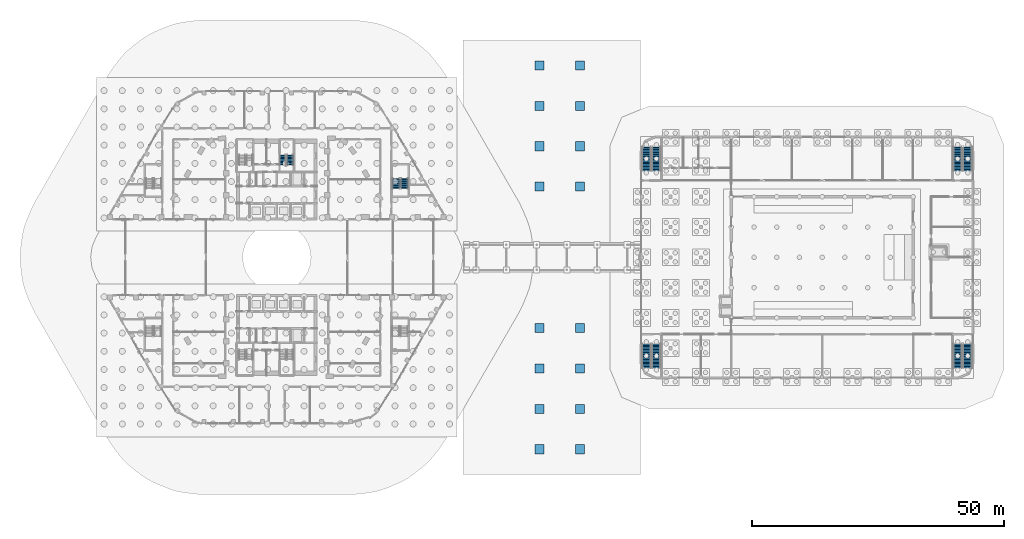
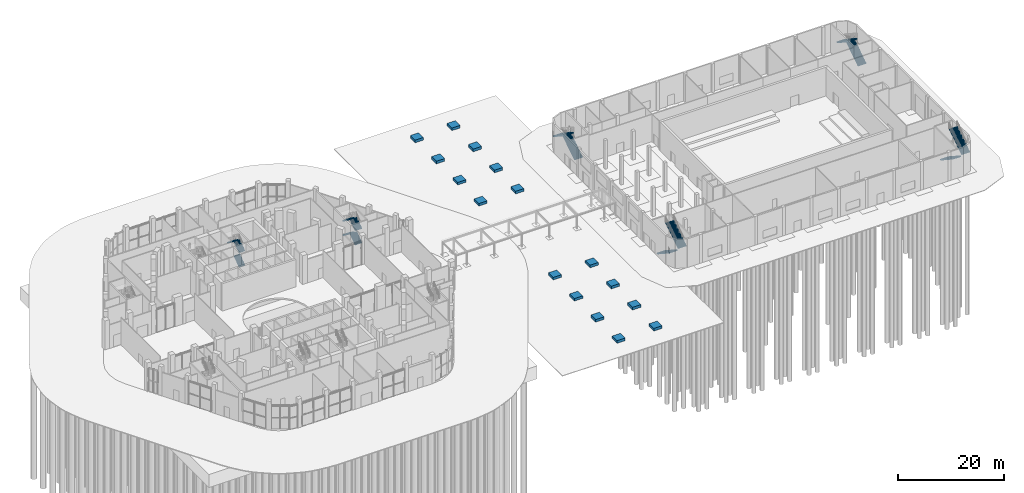
# One storey, part 37 of 44: 16 discrete accessories, 15 stair flights, 6 elements without a shape of their own.
"""IFC4 building model written with IfcOpenShell, lengths in metres."""

from ifc_helpers import new_model, si_unit, direction, frame, origin, origin_2d, place, context, subcontext, project, spatial, polyline, rectangle, outline, extrude, material, type_object, element, aggregate, save


model = new_model("IFC4")

# Units and contexts
model_context = context("Model", 3, precision=1e-05, world=origin(), true_north=direction((0.0, 1.0)))
body_context = subcontext(model_context, "Body", "Model", "MODEL_VIEW")
ifc_project = project(units=[si_unit("LENGTHUNIT", "METRE"), si_unit("AREAUNIT", "SQUARE_METRE"), si_unit("VOLUMEUNIT", "CUBIC_METRE"), si_unit("PLANEANGLEUNIT", "RADIAN"), si_unit("MASSUNIT", "GRAM", prefix="KILO")], contexts=[model_context])

# Site, building, storey
site_placement = place(None, origin())
site = spatial("IfcSite", under=ifc_project, at=site_placement, CompositionType="ELEMENT")
building_placement = place(site_placement, origin())
building = spatial("IfcBuilding", under=site, at=building_placement, Name="Nakaniwa Court", CompositionType="ELEMENT")
storey_placement = place(building_placement, origin())
storey = spatial("IfcBuildingStorey", under=building, at=storey_placement, Name="L00", CompositionType="ELEMENT", Elevation=0.0)

# Stair, stair flights
ifc_material_1 = material(Name="Concrete C40/50", Category="concrete")
stair_type_1 = type_object("IfcStairType", Name="Hall exit stair 36 risers", PredefinedType="HALF_TURN_STAIR", material=ifc_material_1)
stair_1_placement = place(storey_placement, origin())
stair_1 = element("IfcStair", 1, at=stair_1_placement, inside=storey, type_object=stair_type_1, Name="L00 Exit stair 1", PredefinedType="HALF_TURN_STAIR")
stair_flight_type_1 = type_object("IfcStairFlightType", Name="Hall stair flight 18 risers", PredefinedType="STRAIGHT", material=ifc_material_1)
stair_flight_1_placement = place(storey_placement, frame((153.199951171875, 62.860107421875, 0.0), z_axis=(0.0, 0.0, 1.0), x_axis=(0.0, -1.0, 0.0)))
stair_flight_1 = element("IfcStairFlight", 2, at=stair_flight_1_placement, type_object=stair_flight_type_1, Name="ST-H1 flight 1", NumberOfRisers=18, NumberOfTreads=17, PredefinedType="STRAIGHT", RiserHeight=0.183333333, TreadLength=0.28, context=body_context, shape_type="SweptSolid", body=[
    extrude(outline(polyline([(0.0, 0.0), (0.0, 0.026123046875), (0.0, 0.052490234375), (0.0, 0.07861328125), (0.0, 0.104736328125), (0.0, 0.130859375), (0.0, 0.1572265625), (0.0, 0.183349609375), (0.280029296875, 0.183349609375), (0.280029296875, 0.36669921875), (0.56005859375, 0.36669921875), (0.56005859375, 0.550048828125), (0.840087890625, 0.550048828125), (0.840087890625, 0.7333984375), (1.1201171875, 0.7333984375), (1.1201171875, 0.916748046875), (1.39990234375, 0.916748046875), (1.39990234375, 1.10009765625), (1.679931640625, 1.10009765625), (1.679931640625, 1.283447265625), (1.9599609375, 1.283447265625), (1.9599609375, 1.466552734375), (2.239990234375, 1.466552734375), (2.239990234375, 1.64990234375), (2.52001953125, 1.64990234375), (2.52001953125, 1.833251953125), (2.800048828125, 1.833251953125), (2.800048828125, 2.0166015625), (3.080078125, 2.0166015625), (3.080078125, 2.199951171875), (3.360107421875, 2.199951171875), (3.360107421875, 2.38330078125), (3.639892578125, 2.38330078125), (3.639892578125, 2.566650390625), (3.919921875, 2.566650390625), (3.919921875, 2.75), (4.199951171875, 2.75), (4.199951171875, 2.933349609375), (4.47998046875, 2.933349609375), (4.47998046875, 3.11669921875), (4.760009765625, 3.11669921875), (4.760009765625, 3.300048828125), (4.760009765625, 3.248291015625), (4.760009765625, 3.196533203125), (4.760009765625, 3.14453125), (4.760009765625, 3.0927734375), (4.760009765625, 3.041015625), (4.760009765625, 2.9892578125), (4.760009765625, 2.9375), (0.273681640625, 0.0), (0.0, 0.0)])), frame((0.0, 0.89990234375, 0.0), z_axis=(0.0, -1.0, 0.0), x_axis=(1.0, 0.0, 0.0)), (0.0, 0.0, 1.0), 1.800048828125),
])
stair_flight_2_placement = place(storey_placement, frame((155.14990234375, 58.10009765625, 3.300048828125), z_axis=(0.0, 0.0, 1.0), x_axis=(0.0, 1.0, 0.0)))
stair_flight_2 = element("IfcStairFlight", 3, at=stair_flight_2_placement, type_object=stair_flight_type_1, Name="ST-H1 flight 2", NumberOfRisers=18, NumberOfTreads=17, PredefinedType="STRAIGHT", RiserHeight=0.183333333, TreadLength=0.28, context=body_context, shape_type="SweptSolid", body=[
    extrude(outline(polyline([(0.0, 0.0), (0.0, 0.026123046875), (0.0, 0.052490234375), (0.0, 0.07861328125), (0.0, 0.104736328125), (0.0, 0.130859375), (0.0, 0.1572265625), (0.0, 0.183349609375), (0.280029296875, 0.183349609375), (0.280029296875, 0.36669921875), (0.56005859375, 0.36669921875), (0.56005859375, 0.550048828125), (0.840087890625, 0.550048828125), (0.840087890625, 0.7333984375), (1.1201171875, 0.7333984375), (1.1201171875, 0.916748046875), (1.39990234375, 0.916748046875), (1.39990234375, 1.10009765625), (1.679931640625, 1.10009765625), (1.679931640625, 1.283447265625), (1.9599609375, 1.283447265625), (1.9599609375, 1.466552734375), (2.239990234375, 1.466552734375), (2.239990234375, 1.64990234375), (2.52001953125, 1.64990234375), (2.52001953125, 1.833251953125), (2.800048828125, 1.833251953125), (2.800048828125, 2.0166015625), (3.080078125, 2.0166015625), (3.080078125, 2.199951171875), (3.360107421875, 2.199951171875), (3.360107421875, 2.38330078125), (3.639892578125, 2.38330078125), (3.639892578125, 2.566650390625), (3.919921875, 2.566650390625), (3.919921875, 2.75), (4.199951171875, 2.75), (4.199951171875, 2.933349609375), (4.47998046875, 2.933349609375), (4.47998046875, 3.11669921875), (4.760009765625, 3.11669921875), (4.760009765625, 3.300048828125), (4.760009765625, 3.248291015625), (4.760009765625, 3.196533203125), (4.760009765625, 3.14453125), (4.760009765625, 3.0927734375), (4.760009765625, 3.041015625), (4.760009765625, 2.9892578125), (4.760009765625, 2.9375), (0.273681640625, 0.0), (0.0, 0.0)])), frame((0.0, 0.89990234375, 0.0), z_axis=(0.0, -1.0, 0.0), x_axis=(1.0, 0.0, 0.0)), (0.0, 0.0, 1.0), 1.800048828125),
])
aggregate(stair_1, [stair_flight_1, stair_flight_2])

stair_2_placement = place(storey_placement, origin())
stair_2 = element("IfcStair", 4, at=stair_2_placement, inside=storey, type_object=stair_type_1, Name="L00 Exit stair 2", PredefinedType="HALF_TURN_STAIR")
stair_flight_3_placement = place(storey_placement, frame((155.14990234375, 97.139892578125, 0.0), z_axis=(0.0, 0.0, 1.0), x_axis=(0.0, 1.0, 0.0)))
stair_flight_3 = element("IfcStairFlight", 5, at=stair_flight_3_placement, type_object=stair_flight_type_1, Name="ST-H2 flight 1", NumberOfRisers=18, NumberOfTreads=17, PredefinedType="STRAIGHT", RiserHeight=0.183333333, TreadLength=0.28, context=body_context, shape_type="SweptSolid", body=[
    extrude(outline(polyline([(0.0, 0.0), (0.0, 0.026123046875), (0.0, 0.052490234375), (0.0, 0.07861328125), (0.0, 0.104736328125), (0.0, 0.130859375), (0.0, 0.1572265625), (0.0, 0.183349609375), (0.280029296875, 0.183349609375), (0.280029296875, 0.36669921875), (0.56005859375, 0.36669921875), (0.56005859375, 0.550048828125), (0.840087890625, 0.550048828125), (0.840087890625, 0.7333984375), (1.1201171875, 0.7333984375), (1.1201171875, 0.916748046875), (1.39990234375, 0.916748046875), (1.39990234375, 1.10009765625), (1.679931640625, 1.10009765625), (1.679931640625, 1.283447265625), (1.9599609375, 1.283447265625), (1.9599609375, 1.466552734375), (2.239990234375, 1.466552734375), (2.239990234375, 1.64990234375), (2.52001953125, 1.64990234375), (2.52001953125, 1.833251953125), (2.800048828125, 1.833251953125), (2.800048828125, 2.0166015625), (3.080078125, 2.0166015625), (3.080078125, 2.199951171875), (3.360107421875, 2.199951171875), (3.360107421875, 2.38330078125), (3.639892578125, 2.38330078125), (3.639892578125, 2.566650390625), (3.919921875, 2.566650390625), (3.919921875, 2.75), (4.199951171875, 2.75), (4.199951171875, 2.933349609375), (4.47998046875, 2.933349609375), (4.47998046875, 3.11669921875), (4.760009765625, 3.11669921875), (4.760009765625, 3.300048828125), (4.760009765625, 3.248291015625), (4.760009765625, 3.196533203125), (4.760009765625, 3.14453125), (4.760009765625, 3.0927734375), (4.760009765625, 3.041015625), (4.760009765625, 2.9892578125), (4.760009765625, 2.9375), (0.273681640625, 0.0), (0.0, 0.0)])), frame((0.0, 0.89990234375, 0.0), z_axis=(0.0, -1.0, 0.0), x_axis=(1.0, 0.0, 0.0)), (0.0, 0.0, 1.0), 1.800048828125),
])
stair_flight_4_placement = place(storey_placement, frame((153.199951171875, 101.89990234375, 3.300048828125), z_axis=(0.0, 0.0, 1.0), x_axis=(0.0, -1.0, 0.0)))
stair_flight_4 = element("IfcStairFlight", 6, at=stair_flight_4_placement, type_object=stair_flight_type_1, Name="ST-H2 flight 2", NumberOfRisers=18, NumberOfTreads=17, PredefinedType="STRAIGHT", RiserHeight=0.183333333, TreadLength=0.28, context=body_context, shape_type="SweptSolid", body=[
    extrude(outline(polyline([(0.0, 0.0), (0.0, 0.026123046875), (0.0, 0.052490234375), (0.0, 0.07861328125), (0.0, 0.104736328125), (0.0, 0.130859375), (0.0, 0.1572265625), (0.0, 0.183349609375), (0.280029296875, 0.183349609375), (0.280029296875, 0.36669921875), (0.56005859375, 0.36669921875), (0.56005859375, 0.550048828125), (0.840087890625, 0.550048828125), (0.840087890625, 0.7333984375), (1.1201171875, 0.7333984375), (1.1201171875, 0.916748046875), (1.39990234375, 0.916748046875), (1.39990234375, 1.10009765625), (1.679931640625, 1.10009765625), (1.679931640625, 1.283447265625), (1.9599609375, 1.283447265625), (1.9599609375, 1.466552734375), (2.239990234375, 1.466552734375), (2.239990234375, 1.64990234375), (2.52001953125, 1.64990234375), (2.52001953125, 1.833251953125), (2.800048828125, 1.833251953125), (2.800048828125, 2.0166015625), (3.080078125, 2.0166015625), (3.080078125, 2.199951171875), (3.360107421875, 2.199951171875), (3.360107421875, 2.38330078125), (3.639892578125, 2.38330078125), (3.639892578125, 2.566650390625), (3.919921875, 2.566650390625), (3.919921875, 2.75), (4.199951171875, 2.75), (4.199951171875, 2.933349609375), (4.47998046875, 2.933349609375), (4.47998046875, 3.11669921875), (4.760009765625, 3.11669921875), (4.760009765625, 3.300048828125), (4.760009765625, 3.248291015625), (4.760009765625, 3.196533203125), (4.760009765625, 3.14453125), (4.760009765625, 3.0927734375), (4.760009765625, 3.041015625), (4.760009765625, 2.9892578125), (4.760009765625, 2.9375), (0.273681640625, 0.0), (0.0, 0.0)])), frame((0.0, 0.89990234375, 0.0), z_axis=(0.0, -1.0, 0.0), x_axis=(1.0, 0.0, 0.0)), (0.0, 0.0, 1.0), 1.800048828125),
])
aggregate(stair_2, [stair_flight_3, stair_flight_4])

stair_3_placement = place(storey_placement, origin())
stair_3 = element("IfcStair", 7, at=stair_3_placement, inside=storey, type_object=stair_type_1, Name="L00 Exit stair 3", PredefinedType="HALF_TURN_STAIR")
stair_flight_5_placement = place(storey_placement, frame((214.85009765625, 62.860107421875, 0.0), z_axis=(0.0, 0.0, 1.0), x_axis=(0.0, -1.0, 0.0)))
stair_flight_5 = element("IfcStairFlight", 8, at=stair_flight_5_placement, type_object=stair_flight_type_1, Name="ST-H3 flight 1", NumberOfRisers=18, NumberOfTreads=17, PredefinedType="STRAIGHT", RiserHeight=0.183333333, TreadLength=0.28, context=body_context, shape_type="SweptSolid", body=[
    extrude(outline(polyline([(0.0, 0.0), (0.0, 0.026123046875), (0.0, 0.052490234375), (0.0, 0.07861328125), (0.0, 0.104736328125), (0.0, 0.130859375), (0.0, 0.1572265625), (0.0, 0.183349609375), (0.280029296875, 0.183349609375), (0.280029296875, 0.36669921875), (0.56005859375, 0.36669921875), (0.56005859375, 0.550048828125), (0.840087890625, 0.550048828125), (0.840087890625, 0.7333984375), (1.1201171875, 0.7333984375), (1.1201171875, 0.916748046875), (1.39990234375, 0.916748046875), (1.39990234375, 1.10009765625), (1.679931640625, 1.10009765625), (1.679931640625, 1.283447265625), (1.9599609375, 1.283447265625), (1.9599609375, 1.466552734375), (2.239990234375, 1.466552734375), (2.239990234375, 1.64990234375), (2.52001953125, 1.64990234375), (2.52001953125, 1.833251953125), (2.800048828125, 1.833251953125), (2.800048828125, 2.0166015625), (3.080078125, 2.0166015625), (3.080078125, 2.199951171875), (3.360107421875, 2.199951171875), (3.360107421875, 2.38330078125), (3.639892578125, 2.38330078125), (3.639892578125, 2.566650390625), (3.919921875, 2.566650390625), (3.919921875, 2.75), (4.199951171875, 2.75), (4.199951171875, 2.933349609375), (4.47998046875, 2.933349609375), (4.47998046875, 3.11669921875), (4.760009765625, 3.11669921875), (4.760009765625, 3.300048828125), (4.760009765625, 3.248291015625), (4.760009765625, 3.196533203125), (4.760009765625, 3.14453125), (4.760009765625, 3.0927734375), (4.760009765625, 3.041015625), (4.760009765625, 2.9892578125), (4.760009765625, 2.9375), (0.273681640625, 0.0), (0.0, 0.0)])), frame((0.0, 0.89990234375, 0.0), z_axis=(0.0, -1.0, 0.0), x_axis=(1.0, 0.0, 0.0)), (0.0, 0.0, 1.0), 1.800048828125),
])
stair_flight_6_placement = place(storey_placement, frame((216.800048828125, 58.10009765625, 3.300048828125), z_axis=(0.0, 0.0, 1.0), x_axis=(0.0, 1.0, 0.0)))
stair_flight_6 = element("IfcStairFlight", 9, at=stair_flight_6_placement, type_object=stair_flight_type_1, Name="ST-H3 flight 2", NumberOfRisers=18, NumberOfTreads=17, PredefinedType="STRAIGHT", RiserHeight=0.183333333, TreadLength=0.28, context=body_context, shape_type="SweptSolid", body=[
    extrude(outline(polyline([(0.0, 0.0), (0.0, 0.026123046875), (0.0, 0.052490234375), (0.0, 0.07861328125), (0.0, 0.104736328125), (0.0, 0.130859375), (0.0, 0.1572265625), (0.0, 0.183349609375), (0.280029296875, 0.183349609375), (0.280029296875, 0.36669921875), (0.56005859375, 0.36669921875), (0.56005859375, 0.550048828125), (0.840087890625, 0.550048828125), (0.840087890625, 0.7333984375), (1.1201171875, 0.7333984375), (1.1201171875, 0.916748046875), (1.39990234375, 0.916748046875), (1.39990234375, 1.10009765625), (1.679931640625, 1.10009765625), (1.679931640625, 1.283447265625), (1.9599609375, 1.283447265625), (1.9599609375, 1.466552734375), (2.239990234375, 1.466552734375), (2.239990234375, 1.64990234375), (2.52001953125, 1.64990234375), (2.52001953125, 1.833251953125), (2.800048828125, 1.833251953125), (2.800048828125, 2.0166015625), (3.080078125, 2.0166015625), (3.080078125, 2.199951171875), (3.360107421875, 2.199951171875), (3.360107421875, 2.38330078125), (3.639892578125, 2.38330078125), (3.639892578125, 2.566650390625), (3.919921875, 2.566650390625), (3.919921875, 2.75), (4.199951171875, 2.75), (4.199951171875, 2.933349609375), (4.47998046875, 2.933349609375), (4.47998046875, 3.11669921875), (4.760009765625, 3.11669921875), (4.760009765625, 3.300048828125), (4.760009765625, 3.248291015625), (4.760009765625, 3.196533203125), (4.760009765625, 3.14453125), (4.760009765625, 3.0927734375), (4.760009765625, 3.041015625), (4.760009765625, 2.9892578125), (4.760009765625, 2.9375), (0.273681640625, 0.0), (0.0, 0.0)])), frame((0.0, 0.89990234375, 0.0), z_axis=(0.0, -1.0, 0.0), x_axis=(1.0, 0.0, 0.0)), (0.0, 0.0, 1.0), 1.800048828125),
])
aggregate(stair_3, [stair_flight_5, stair_flight_6])

stair_4_placement = place(storey_placement, origin())
stair_4 = element("IfcStair", 10, at=stair_4_placement, inside=storey, type_object=stair_type_1, Name="L00 Exit stair 4", PredefinedType="HALF_TURN_STAIR")
stair_flight_7_placement = place(storey_placement, frame((216.800048828125, 97.139892578125, 0.0), z_axis=(0.0, 0.0, 1.0), x_axis=(0.0, 1.0, 0.0)))
stair_flight_7 = element("IfcStairFlight", 11, at=stair_flight_7_placement, type_object=stair_flight_type_1, Name="ST-H4 flight 1", NumberOfRisers=18, NumberOfTreads=17, PredefinedType="STRAIGHT", RiserHeight=0.183333333, TreadLength=0.28, context=body_context, shape_type="SweptSolid", body=[
    extrude(outline(polyline([(0.0, 0.0), (0.0, 0.026123046875), (0.0, 0.052490234375), (0.0, 0.07861328125), (0.0, 0.104736328125), (0.0, 0.130859375), (0.0, 0.1572265625), (0.0, 0.183349609375), (0.280029296875, 0.183349609375), (0.280029296875, 0.36669921875), (0.56005859375, 0.36669921875), (0.56005859375, 0.550048828125), (0.840087890625, 0.550048828125), (0.840087890625, 0.7333984375), (1.1201171875, 0.7333984375), (1.1201171875, 0.916748046875), (1.39990234375, 0.916748046875), (1.39990234375, 1.10009765625), (1.679931640625, 1.10009765625), (1.679931640625, 1.283447265625), (1.9599609375, 1.283447265625), (1.9599609375, 1.466552734375), (2.239990234375, 1.466552734375), (2.239990234375, 1.64990234375), (2.52001953125, 1.64990234375), (2.52001953125, 1.833251953125), (2.800048828125, 1.833251953125), (2.800048828125, 2.0166015625), (3.080078125, 2.0166015625), (3.080078125, 2.199951171875), (3.360107421875, 2.199951171875), (3.360107421875, 2.38330078125), (3.639892578125, 2.38330078125), (3.639892578125, 2.566650390625), (3.919921875, 2.566650390625), (3.919921875, 2.75), (4.199951171875, 2.75), (4.199951171875, 2.933349609375), (4.47998046875, 2.933349609375), (4.47998046875, 3.11669921875), (4.760009765625, 3.11669921875), (4.760009765625, 3.300048828125), (4.760009765625, 3.248291015625), (4.760009765625, 3.196533203125), (4.760009765625, 3.14453125), (4.760009765625, 3.0927734375), (4.760009765625, 3.041015625), (4.760009765625, 2.9892578125), (4.760009765625, 2.9375), (0.273681640625, 0.0), (0.0, 0.0)])), frame((0.0, 0.89990234375, 0.0), z_axis=(0.0, -1.0, 0.0), x_axis=(1.0, 0.0, 0.0)), (0.0, 0.0, 1.0), 1.800048828125),
])
stair_flight_8_placement = place(storey_placement, frame((214.85009765625, 101.89990234375, 3.300048828125), z_axis=(0.0, 0.0, 1.0), x_axis=(0.0, -1.0, 0.0)))
stair_flight_8 = element("IfcStairFlight", 12, at=stair_flight_8_placement, type_object=stair_flight_type_1, Name="ST-H4 flight 2", NumberOfRisers=18, NumberOfTreads=17, PredefinedType="STRAIGHT", RiserHeight=0.183333333, TreadLength=0.28, context=body_context, shape_type="SweptSolid", body=[
    extrude(outline(polyline([(0.0, 0.0), (0.0, 0.026123046875), (0.0, 0.052490234375), (0.0, 0.07861328125), (0.0, 0.104736328125), (0.0, 0.130859375), (0.0, 0.1572265625), (0.0, 0.183349609375), (0.280029296875, 0.183349609375), (0.280029296875, 0.36669921875), (0.56005859375, 0.36669921875), (0.56005859375, 0.550048828125), (0.840087890625, 0.550048828125), (0.840087890625, 0.7333984375), (1.1201171875, 0.7333984375), (1.1201171875, 0.916748046875), (1.39990234375, 0.916748046875), (1.39990234375, 1.10009765625), (1.679931640625, 1.10009765625), (1.679931640625, 1.283447265625), (1.9599609375, 1.283447265625), (1.9599609375, 1.466552734375), (2.239990234375, 1.466552734375), (2.239990234375, 1.64990234375), (2.52001953125, 1.64990234375), (2.52001953125, 1.833251953125), (2.800048828125, 1.833251953125), (2.800048828125, 2.0166015625), (3.080078125, 2.0166015625), (3.080078125, 2.199951171875), (3.360107421875, 2.199951171875), (3.360107421875, 2.38330078125), (3.639892578125, 2.38330078125), (3.639892578125, 2.566650390625), (3.919921875, 2.566650390625), (3.919921875, 2.75), (4.199951171875, 2.75), (4.199951171875, 2.933349609375), (4.47998046875, 2.933349609375), (4.47998046875, 3.11669921875), (4.760009765625, 3.11669921875), (4.760009765625, 3.300048828125), (4.760009765625, 3.248291015625), (4.760009765625, 3.196533203125), (4.760009765625, 3.14453125), (4.760009765625, 3.0927734375), (4.760009765625, 3.041015625), (4.760009765625, 2.9892578125), (4.760009765625, 2.9375), (0.273681640625, 0.0), (0.0, 0.0)])), frame((0.0, 0.89990234375, 0.0), z_axis=(0.0, -1.0, 0.0), x_axis=(1.0, 0.0, 0.0)), (0.0, 0.0, 1.0), 1.800048828125),
])
aggregate(stair_4, [stair_flight_7, stair_flight_8])

ifc_material_2 = material(Name="Concrete C80/100", Category="concrete")
stair_type_2 = type_object("IfcStairType", Name="Dog leg stair 1300 wide 36 risers", PredefinedType="HALF_TURN_STAIR", material=ifc_material_2)
stair_5_placement = place(storey_placement, origin())
stair_5 = element("IfcStair", 13, at=stair_5_placement, inside=storey, type_object=stair_type_2, Name="L00 Stair ST2", PredefinedType="HALF_TURN_STAIR")
stair_flight_type_2 = type_object("IfcStairFlightType", Name="Stair flight 1300 wide 9 risers", PredefinedType="STRAIGHT", material=ifc_material_2)
stair_flight_9_placement = place(storey_placement, frame((82.625, 98.27490234375, 0.0), z_axis=(0.0, 0.0, 1.0), x_axis=(0.0, 1.0, 0.0)))
stair_flight_9 = element("IfcStairFlight", 14, at=stair_flight_9_placement, type_object=stair_flight_type_2, Name="ST2 flight 1", NumberOfRisers=9, NumberOfTreads=8, PredefinedType="STRAIGHT", RiserHeight=0.183333333, TreadLength=0.25, context=body_context, shape_type="SweptSolid", body=[
    extrude(outline(polyline([(0.0, 0.0), (0.0, 0.026123046875), (0.0, 0.052490234375), (0.0, 0.07861328125), (0.0, 0.104736328125), (0.0, 0.130859375), (0.0, 0.1572265625), (0.0, 0.183349609375), (0.25, 0.183349609375), (0.25, 0.36669921875), (0.5, 0.36669921875), (0.5, 0.550048828125), (0.75, 0.550048828125), (0.75, 0.7333984375), (1.0, 0.7333984375), (1.0, 0.916748046875), (1.25, 0.916748046875), (1.25, 1.10009765625), (1.5, 1.10009765625), (1.5, 1.283447265625), (1.75, 1.283447265625), (1.75, 1.466552734375), (2.0, 1.466552734375), (2.0, 1.64990234375), (2.0, 1.59716796875), (2.0, 1.54443359375), (2.0, 1.49169921875), (2.0, 1.43896484375), (2.0, 1.38623046875), (2.0, 1.33349609375), (2.0, 1.28076171875), (0.25341796875, 0.0), (0.0, 0.0)])), frame((0.0, 0.64990234375, 0.0), z_axis=(0.0, -1.0, 0.0), x_axis=(1.0, 0.0, 0.0)), (0.0, 0.0, 1.0), 1.300048828125),
])
stair_flight_10_placement = place(storey_placement, frame((82.625, 98.27490234375, 3.300048828125), z_axis=(0.0, 0.0, 1.0), x_axis=(0.0, 1.0, 0.0)))
stair_flight_10 = element("IfcStairFlight", 15, at=stair_flight_10_placement, type_object=stair_flight_type_2, Name="ST2 flight 3", NumberOfRisers=9, NumberOfTreads=8, PredefinedType="STRAIGHT", RiserHeight=0.183333333, TreadLength=0.25, context=body_context, shape_type="SweptSolid", body=[
    extrude(outline(polyline([(0.0, 0.0), (0.0, 0.026123046875), (0.0, 0.052490234375), (0.0, 0.07861328125), (0.0, 0.104736328125), (0.0, 0.130859375), (0.0, 0.1572265625), (0.0, 0.183349609375), (0.25, 0.183349609375), (0.25, 0.36669921875), (0.5, 0.36669921875), (0.5, 0.550048828125), (0.75, 0.550048828125), (0.75, 0.7333984375), (1.0, 0.7333984375), (1.0, 0.916748046875), (1.25, 0.916748046875), (1.25, 1.10009765625), (1.5, 1.10009765625), (1.5, 1.283447265625), (1.75, 1.283447265625), (1.75, 1.466552734375), (2.0, 1.466552734375), (2.0, 1.64990234375), (2.0, 1.59716796875), (2.0, 1.54443359375), (2.0, 1.49169921875), (2.0, 1.43896484375), (2.0, 1.38623046875), (2.0, 1.33349609375), (2.0, 1.28076171875), (0.25341796875, 0.0), (0.0, 0.0)])), frame((0.0, 0.64990234375, 0.0), z_axis=(0.0, -1.0, 0.0), x_axis=(1.0, 0.0, 0.0)), (0.0, 0.0, 1.0), 1.300048828125),
])
stair_flight_11_placement = place(storey_placement, frame((81.175048828125, 100.27490234375, 4.949951171875), z_axis=(0.0, 0.0, 1.0), x_axis=(0.0, -1.0, 0.0)))
stair_flight_11 = element("IfcStairFlight", 16, at=stair_flight_11_placement, type_object=stair_flight_type_2, Name="ST2 flight 4", NumberOfRisers=9, NumberOfTreads=8, PredefinedType="STRAIGHT", RiserHeight=0.183333333, TreadLength=0.25, context=body_context, shape_type="SweptSolid", body=[
    extrude(outline(polyline([(0.0, 0.0), (0.0, 0.026123046875), (0.0, 0.052490234375), (0.0, 0.07861328125), (0.0, 0.104736328125), (0.0, 0.130859375), (0.0, 0.1572265625), (0.0, 0.183349609375), (0.25, 0.183349609375), (0.25, 0.36669921875), (0.5, 0.36669921875), (0.5, 0.550048828125), (0.75, 0.550048828125), (0.75, 0.7333984375), (1.0, 0.7333984375), (1.0, 0.916748046875), (1.25, 0.916748046875), (1.25, 1.10009765625), (1.5, 1.10009765625), (1.5, 1.283447265625), (1.75, 1.283447265625), (1.75, 1.466552734375), (2.0, 1.466552734375), (2.0, 1.64990234375), (2.0, 1.59716796875), (2.0, 1.54443359375), (2.0, 1.49169921875), (2.0, 1.43896484375), (2.0, 1.38623046875), (2.0, 1.33349609375), (2.0, 1.28076171875), (0.25341796875, 0.0), (0.0, 0.0)])), frame((0.0, 0.64990234375, 0.0), z_axis=(0.0, -1.0, 0.0), x_axis=(1.0, 0.0, 0.0)), (0.0, 0.0, 1.0), 1.300048828125),
])
aggregate(stair_5, [stair_flight_9, stair_flight_10, stair_flight_11])

stair_type_3 = type_object("IfcStairType", Name="Dog leg stair 1500 wide 36 risers", PredefinedType="HALF_TURN_STAIR", material=ifc_material_2)
stair_6_placement = place(storey_placement, origin())
stair_6 = element("IfcStair", 17, at=stair_6_placement, inside=storey, type_object=stair_type_3, Name="L00 Stair SS1", PredefinedType="HALF_TURN_STAIR")
stair_flight_type_3 = type_object("IfcStairFlightType", Name="Stair flight 1500 wide 9 risers", PredefinedType="STRAIGHT", material=ifc_material_2)
stair_flight_12_placement = place(storey_placement, frame((105.27490234375, 93.625, 0.0), z_axis=(0.0, 0.0, 1.0), x_axis=(0.0, 1.0, 0.0)))
stair_flight_12 = element("IfcStairFlight", 18, at=stair_flight_12_placement, type_object=stair_flight_type_3, Name="SS1 flight 1", NumberOfRisers=9, NumberOfTreads=8, PredefinedType="STRAIGHT", RiserHeight=0.183333333, TreadLength=0.25, context=body_context, shape_type="SweptSolid", body=[
    extrude(outline(polyline([(0.0, 0.0), (0.0, 0.026123046875), (0.0, 0.052490234375), (0.0, 0.07861328125), (0.0, 0.104736328125), (0.0, 0.130859375), (0.0, 0.1572265625), (0.0, 0.183349609375), (0.25, 0.183349609375), (0.25, 0.36669921875), (0.5, 0.36669921875), (0.5, 0.550048828125), (0.75, 0.550048828125), (0.75, 0.7333984375), (1.0, 0.7333984375), (1.0, 0.916748046875), (1.25, 0.916748046875), (1.25, 1.10009765625), (1.5, 1.10009765625), (1.5, 1.283447265625), (1.75, 1.283447265625), (1.75, 1.466552734375), (2.0, 1.466552734375), (2.0, 1.64990234375), (2.0, 1.59716796875), (2.0, 1.54443359375), (2.0, 1.49169921875), (2.0, 1.43896484375), (2.0, 1.38623046875), (2.0, 1.33349609375), (2.0, 1.28076171875), (0.25341796875, 0.0), (0.0, 0.0)])), frame((0.0, 0.75, 0.0), z_axis=(0.0, -1.0, 0.0), x_axis=(1.0, 0.0, 0.0)), (0.0, 0.0, 1.0), 1.5),
])
stair_flight_13_placement = place(storey_placement, frame((103.625, 95.625, 1.64990234375), z_axis=(0.0, 0.0, 1.0), x_axis=(0.0, -1.0, 0.0)))
stair_flight_13 = element("IfcStairFlight", 19, at=stair_flight_13_placement, type_object=stair_flight_type_3, Name="SS1 flight 2", NumberOfRisers=9, NumberOfTreads=8, PredefinedType="STRAIGHT", RiserHeight=0.183333333, TreadLength=0.25, context=body_context, shape_type="SweptSolid", body=[
    extrude(outline(polyline([(0.0, 0.0), (0.0, 0.026123046875), (0.0, 0.052490234375), (0.0, 0.07861328125), (0.0, 0.104736328125), (0.0, 0.130859375), (0.0, 0.1572265625), (0.0, 0.183349609375), (0.25, 0.183349609375), (0.25, 0.36669921875), (0.5, 0.36669921875), (0.5, 0.550048828125), (0.75, 0.550048828125), (0.75, 0.7333984375), (1.0, 0.7333984375), (1.0, 0.916748046875), (1.25, 0.916748046875), (1.25, 1.10009765625), (1.5, 1.10009765625), (1.5, 1.283447265625), (1.75, 1.283447265625), (1.75, 1.466552734375), (2.0, 1.466552734375), (2.0, 1.64990234375), (2.0, 1.59716796875), (2.0, 1.54443359375), (2.0, 1.49169921875), (2.0, 1.43896484375), (2.0, 1.38623046875), (2.0, 1.33349609375), (2.0, 1.28076171875), (0.25341796875, 0.0), (0.0, 0.0)])), frame((0.0, 0.75, 0.0), z_axis=(0.0, -1.0, 0.0), x_axis=(1.0, 0.0, 0.0)), (0.0, 0.0, 1.0), 1.5),
])
stair_flight_14_placement = place(storey_placement, frame((105.27490234375, 93.625, 3.300048828125), z_axis=(0.0, 0.0, 1.0), x_axis=(0.0, 1.0, 0.0)))
stair_flight_14 = element("IfcStairFlight", 20, at=stair_flight_14_placement, type_object=stair_flight_type_3, Name="SS1 flight 3", NumberOfRisers=9, NumberOfTreads=8, PredefinedType="STRAIGHT", RiserHeight=0.183333333, TreadLength=0.25, context=body_context, shape_type="SweptSolid", body=[
    extrude(outline(polyline([(0.0, 0.0), (0.0, 0.026123046875), (0.0, 0.052490234375), (0.0, 0.07861328125), (0.0, 0.104736328125), (0.0, 0.130859375), (0.0, 0.1572265625), (0.0, 0.183349609375), (0.25, 0.183349609375), (0.25, 0.36669921875), (0.5, 0.36669921875), (0.5, 0.550048828125), (0.75, 0.550048828125), (0.75, 0.7333984375), (1.0, 0.7333984375), (1.0, 0.916748046875), (1.25, 0.916748046875), (1.25, 1.10009765625), (1.5, 1.10009765625), (1.5, 1.283447265625), (1.75, 1.283447265625), (1.75, 1.466552734375), (2.0, 1.466552734375), (2.0, 1.64990234375), (2.0, 1.59716796875), (2.0, 1.54443359375), (2.0, 1.49169921875), (2.0, 1.43896484375), (2.0, 1.38623046875), (2.0, 1.33349609375), (2.0, 1.28076171875), (0.25341796875, 0.0), (0.0, 0.0)])), frame((0.0, 0.75, 0.0), z_axis=(0.0, -1.0, 0.0), x_axis=(1.0, 0.0, 0.0)), (0.0, 0.0, 1.0), 1.5),
])
stair_flight_15_placement = place(storey_placement, frame((103.625, 95.625, 4.949951171875), z_axis=(0.0, 0.0, 1.0), x_axis=(0.0, -1.0, 0.0)))
stair_flight_15 = element("IfcStairFlight", 21, at=stair_flight_15_placement, type_object=stair_flight_type_3, Name="SS1 flight 4", NumberOfRisers=9, NumberOfTreads=8, PredefinedType="STRAIGHT", RiserHeight=0.183333333, TreadLength=0.25, context=body_context, shape_type="SweptSolid", body=[
    extrude(outline(polyline([(0.0, 0.0), (0.0, 0.026123046875), (0.0, 0.052490234375), (0.0, 0.07861328125), (0.0, 0.104736328125), (0.0, 0.130859375), (0.0, 0.1572265625), (0.0, 0.183349609375), (0.25, 0.183349609375), (0.25, 0.36669921875), (0.5, 0.36669921875), (0.5, 0.550048828125), (0.75, 0.550048828125), (0.75, 0.7333984375), (1.0, 0.7333984375), (1.0, 0.916748046875), (1.25, 0.916748046875), (1.25, 1.10009765625), (1.5, 1.10009765625), (1.5, 1.283447265625), (1.75, 1.283447265625), (1.75, 1.466552734375), (2.0, 1.466552734375), (2.0, 1.64990234375), (2.0, 1.59716796875), (2.0, 1.54443359375), (2.0, 1.49169921875), (2.0, 1.43896484375), (2.0, 1.38623046875), (2.0, 1.33349609375), (2.0, 1.28076171875), (0.25341796875, 0.0), (0.0, 0.0)])), frame((0.0, 0.75, 0.0), z_axis=(0.0, -1.0, 0.0), x_axis=(1.0, 0.0, 0.0)), (0.0, 0.0, 1.0), 1.5),
])
aggregate(stair_6, [stair_flight_12, stair_flight_13, stair_flight_14, stair_flight_15])

# Discrete accessories
ifc_material_3 = material(Name="Precast concrete C40/50 planter with planted soil", Category="concrete")
discrete_accessory_type = type_object("IfcDiscreteAccessoryType", Name="Tree planter box charcoal concrete", PredefinedType="USERDEFINED", material=ifc_material_3)
for number, where, z_axis, x_axis, name in (
    (22, (132.0, 42.0, 0.0), (0.0, 0.0, 1.0), (1.0, 0.0, 0.0), "Tree planter 1"),
    (23, (132.0, 50.0, 0.0), (0.0, 0.0, 1.0), (1.0, 0.0, 0.0), "Tree planter 2"),
    (24, (132.0, 58.0, 0.0), (0.0, 0.0, 1.0), (1.0, 0.0, 0.0), "Tree planter 3"),
    (25, (132.0, 66.0, 0.0), (0.0, 0.0, 1.0), (1.0, 0.0, 0.0), "Tree planter 4"),
    (26, (132.0, 94.0, 0.0), (0.0, 0.0, 1.0), (1.0, 0.0, 0.0), "Tree planter 5"),
    (27, (132.0, 102.0, 0.0), (0.0, 0.0, 1.0), (1.0, 0.0, 0.0), "Tree planter 6"),
    (28, (132.0, 110.0, 0.0), (0.0, 0.0, 1.0), (1.0, 0.0, 0.0), "Tree planter 7"),
    (29, (132.0, 118.0, 0.0), (0.0, 0.0, 1.0), (1.0, 0.0, 0.0), "Tree planter 8"),
    (30, (140.0, 42.0, 0.0), (0.0, 0.0, 1.0), (1.0, 0.0, 0.0), "Tree planter 9"),
    (31, (140.0, 50.0, 0.0), (0.0, 0.0, 1.0), (1.0, 0.0, 0.0), "Tree planter 10"),
    (32, (140.0, 58.0, 0.0), (0.0, 0.0, 1.0), (1.0, 0.0, 0.0), "Tree planter 11"),
    (33, (140.0, 66.0, 0.0), (0.0, 0.0, 1.0), (1.0, 0.0, 0.0), "Tree planter 12"),
    (34, (140.0, 94.0, 0.0), (0.0, 0.0, 1.0), (1.0, 0.0, 0.0), "Tree planter 13"),
    (35, (140.0, 102.0, 0.0), (0.0, 0.0, 1.0), (1.0, 0.0, 0.0), "Tree planter 14"),
    (36, (140.0, 110.0, 0.0), (0.0, 0.0, 1.0), (1.0, 0.0, 0.0), "Tree planter 15"),
    (37, (140.0, 118.0, 0.0), (0.0, 0.0, 1.0), (1.0, 0.0, 0.0), "Tree planter 16"),
):
    element("IfcDiscreteAccessory", number, at=place(storey_placement, frame(where, z_axis=z_axis, x_axis=x_axis)), inside=storey, type_object=discrete_accessory_type, Name=name, ObjectType="PLANTER", PredefinedType="USERDEFINED", context=body_context, shape_type="SweptSolid", body=[
        extrude(rectangle(XDim=1.800048828125, YDim=1.800048828125, at=origin_2d()), origin(), (0.0, 0.0, 1.0), 0.60009765625),
    ])

save(model, "model.ifc")
